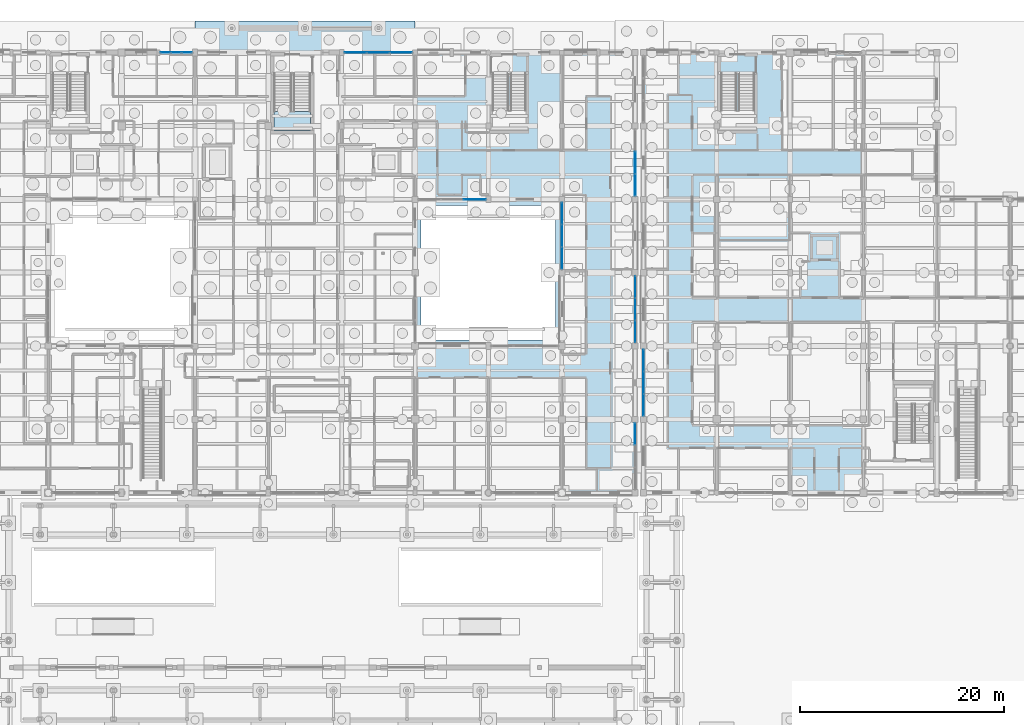
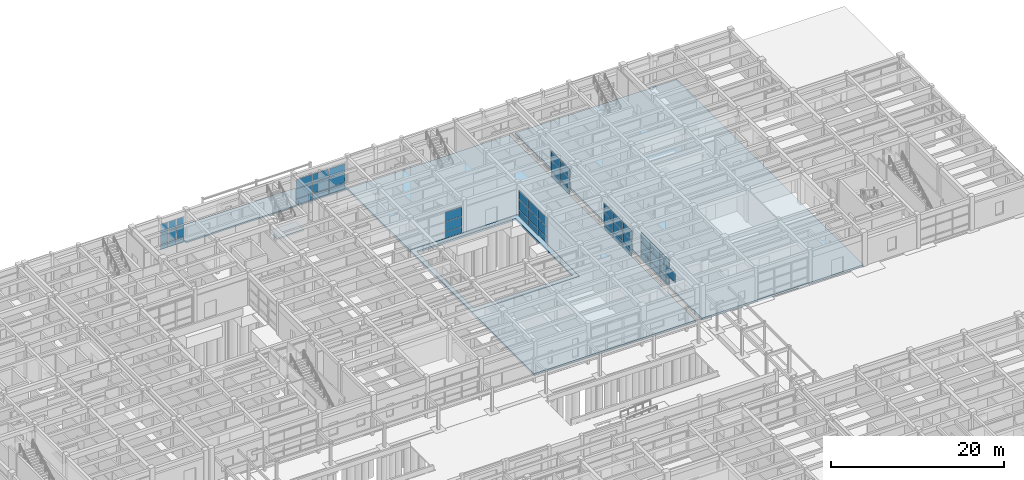
# One storey, part 85 of 143: 55 plates, 5 slabs, 9 elements without a shape of their own.
"""IFC4 building model written with IfcOpenShell, lengths in metres."""

from ifc_helpers import new_model, si_unit, direction, frame, origin, origin_2d, place, context, subcontext, project, spatial, polyline, rectangle, outline, extrude, material, layer, layer_set, type_object, element, aggregate, save


model = new_model("IFC4")

# Units and contexts
model_context = context("Model", 3, precision=1e-05, world=origin(), true_north=direction((0.0, 1.0)))
body_context = subcontext(model_context, "Body", "Model", "MODEL_VIEW")
ifc_project = project(units=[si_unit("LENGTHUNIT", "METRE"), si_unit("AREAUNIT", "SQUARE_METRE"), si_unit("VOLUMEUNIT", "CUBIC_METRE"), si_unit("PLANEANGLEUNIT", "RADIAN"), si_unit("MASSUNIT", "GRAM", prefix="KILO")], contexts=[model_context])

# Site, building, storey
site_placement = place(None, origin())
site = spatial("IfcSite", under=ifc_project, at=site_placement, CompositionType="ELEMENT")
building_placement = place(site_placement, origin())
building = spatial("IfcBuilding", under=site, at=building_placement, Name="Steenspoor Specialist Clinic", CompositionType="ELEMENT")
storey_placement = place(building_placement, origin())
storey = spatial("IfcBuildingStorey", under=building, at=storey_placement, Name="L00", CompositionType="ELEMENT", Elevation=0.0)

# Curtain wall, plates
ifc_material_1 = material(Name="Thermally broken aluminium and low-emissivity glass", Category="aluminium")
curtain_wall_type_1 = type_object("IfcCurtainWallType", Name="CW-STR-220X415", PredefinedType="USERDEFINED", material=ifc_material_1)
curtain_wall_1_placement = place(storey_placement, origin())
curtain_wall_1 = element("IfcCurtainWall", 1, at=curtain_wall_1_placement, inside=storey, type_object=curtain_wall_type_1, Name="Unitised Curtain Wall CW-V4-L00-048", ObjectType="UNITISED GLAZING", PredefinedType="USERDEFINED")
ifc_material_2 = material(Name="Double low-emissivity insulated glass", Category="glass")
ifc_layer_1 = layer(ifc_material_2, 0.035888671875)
ifc_layer_set_1 = layer_set([ifc_layer_1], Name="Double low-emissivity insulated glass")
plate_type_1 = type_object("IfcPlateType", Name="CW-PAN-GL36", PredefinedType="CURTAIN_PANEL", material=ifc_layer_set_1)
plate_1_placement = place(storey_placement, frame((71.094970703125, 108.35009765625, 0.06005859375), z_axis=(0.0, 0.0, 1.0), x_axis=(1.0, 0.0, 0.0)))
plate_1 = element("IfcPlate", 2, at=plate_1_placement, type_object=plate_type_1, Name="CW-24 panel 1.1", PredefinedType="CURTAIN_PANEL", context=body_context, shape_type="SweptSolid", body=[
    extrude(rectangle(XDim=0.949951171875, YDim=0.035888671875, at=origin_2d()), origin(), (0.0, 0.0, 1.0), 0.81005859375),
])
plate_2_placement = place(storey_placement, frame((71.094970703125, 108.35009765625, 0.93017578125), z_axis=(0.0, 0.0, 1.0), x_axis=(1.0, 0.0, 0.0)))
plate_2 = element("IfcPlate", 3, at=plate_2_placement, type_object=plate_type_1, Name="CW-24 panel 1.2", PredefinedType="CURTAIN_PANEL", context=body_context, shape_type="SweptSolid", body=[
    extrude(rectangle(XDim=0.949951171875, YDim=0.035888671875, at=origin_2d()), origin(), (0.0, 0.0, 1.0), 1.389892578125),
])
plate_3_placement = place(storey_placement, frame((71.094970703125, 108.35009765625, 2.3798828125), z_axis=(0.0, 0.0, 1.0), x_axis=(1.0, 0.0, 0.0)))
plate_3 = element("IfcPlate", 4, at=plate_3_placement, type_object=plate_type_1, Name="CW-24 panel 1.3", PredefinedType="CURTAIN_PANEL", context=body_context, shape_type="SweptSolid", body=[
    extrude(rectangle(XDim=0.949951171875, YDim=0.035888671875, at=origin_2d()), origin(), (0.0, 0.0, 1.0), 1.2900390625),
])
plate_4_placement = place(storey_placement, frame((72.14501953125, 108.35009765625, 0.06005859375), z_axis=(0.0, 0.0, 1.0), x_axis=(1.0, 0.0, 0.0)))
plate_4 = element("IfcPlate", 5, at=plate_4_placement, type_object=plate_type_1, Name="CW-24 panel 2.1", PredefinedType="CURTAIN_PANEL", context=body_context, shape_type="SweptSolid", body=[
    extrude(rectangle(XDim=0.989990234375, YDim=0.035888671875, at=origin_2d()), origin(), (0.0, 0.0, 1.0), 0.81005859375),
])
plate_5_placement = place(storey_placement, frame((72.14501953125, 108.35009765625, 0.93017578125), z_axis=(0.0, 0.0, 1.0), x_axis=(1.0, 0.0, 0.0)))
plate_5 = element("IfcPlate", 6, at=plate_5_placement, type_object=plate_type_1, Name="CW-24 panel 2.2", PredefinedType="CURTAIN_PANEL", context=body_context, shape_type="SweptSolid", body=[
    extrude(rectangle(XDim=0.989990234375, YDim=0.035888671875, at=origin_2d()), origin(), (0.0, 0.0, 1.0), 1.389892578125),
])
plate_6_placement = place(storey_placement, frame((72.14501953125, 108.35009765625, 2.3798828125), z_axis=(0.0, 0.0, 1.0), x_axis=(1.0, 0.0, 0.0)))
plate_6 = element("IfcPlate", 7, at=plate_6_placement, type_object=plate_type_1, Name="CW-24 panel 2.3", PredefinedType="CURTAIN_PANEL", context=body_context, shape_type="SweptSolid", body=[
    extrude(rectangle(XDim=0.989990234375, YDim=0.035888671875, at=origin_2d()), origin(), (0.0, 0.0, 1.0), 1.2900390625),
])
plate_7_placement = place(storey_placement, frame((73.195068359375, 108.35009765625, 0.06005859375), z_axis=(0.0, 0.0, 1.0), x_axis=(1.0, 0.0, 0.0)))
plate_7 = element("IfcPlate", 8, at=plate_7_placement, type_object=plate_type_1, Name="CW-24 panel 3.1", PredefinedType="CURTAIN_PANEL", context=body_context, shape_type="SweptSolid", body=[
    extrude(rectangle(XDim=0.949951171875, YDim=0.035888671875, at=origin_2d()), origin(), (0.0, 0.0, 1.0), 0.81005859375),
])
plate_8_placement = place(storey_placement, frame((73.195068359375, 108.35009765625, 0.93017578125), z_axis=(0.0, 0.0, 1.0), x_axis=(1.0, 0.0, 0.0)))
plate_8 = element("IfcPlate", 9, at=plate_8_placement, type_object=plate_type_1, Name="CW-24 panel 3.2", PredefinedType="CURTAIN_PANEL", context=body_context, shape_type="SweptSolid", body=[
    extrude(rectangle(XDim=0.949951171875, YDim=0.035888671875, at=origin_2d()), origin(), (0.0, 0.0, 1.0), 1.389892578125),
])
plate_9_placement = place(storey_placement, frame((73.195068359375, 108.35009765625, 2.3798828125), z_axis=(0.0, 0.0, 1.0), x_axis=(1.0, 0.0, 0.0)))
plate_9 = element("IfcPlate", 10, at=plate_9_placement, type_object=plate_type_1, Name="CW-24 panel 3.3", PredefinedType="CURTAIN_PANEL", context=body_context, shape_type="SweptSolid", body=[
    extrude(rectangle(XDim=0.949951171875, YDim=0.035888671875, at=origin_2d()), origin(), (0.0, 0.0, 1.0), 1.2900390625),
])
aggregate(curtain_wall_1, [plate_1, plate_2, plate_3, plate_4, plate_5, plate_6, plate_7, plate_8, plate_9])

curtain_wall_type_2 = type_object("IfcCurtainWallType", Name="CW-HALL-480X820", PredefinedType="USERDEFINED", material=ifc_material_1)
curtain_wall_2_placement = place(storey_placement, origin())
curtain_wall_2 = element("IfcCurtainWall", 11, at=curtain_wall_2_placement, inside=storey, type_object=curtain_wall_type_2, Name="Unitised Curtain Wall CW-V4-L00-051", ObjectType="UNITISED GLAZING", PredefinedType="USERDEFINED")
plate_10_placement = place(storey_placement, frame((117.199951171875, 85.333740234375, 0.070068359375), z_axis=(0.0, 0.0, 1.0), x_axis=(0.0, -1.0, 0.0)))
plate_10 = element("IfcPlate", 12, at=plate_10_placement, type_object=plate_type_1, Name="CW-03 panel 1.1", PredefinedType="CURTAIN_PANEL", context=body_context, shape_type="SweptSolid", body=[
    extrude(rectangle(XDim=2.1025390625, YDim=0.035888671875, at=origin_2d()), origin(), (0.0, 0.0, 1.0), 0.794921875),
])
plate_11_placement = place(storey_placement, frame((117.199951171875, 85.333740234375, 0.93505859375), z_axis=(0.0, 0.0, 1.0), x_axis=(0.0, -1.0, 0.0)))
plate_11 = element("IfcPlate", 13, at=plate_11_placement, type_object=plate_type_1, Name="CW-03 panel 1.2", PredefinedType="CURTAIN_PANEL", context=body_context, shape_type="SweptSolid", body=[
    extrude(rectangle(XDim=2.1025390625, YDim=0.035888671875, at=origin_2d()), origin(), (0.0, 0.0, 1.0), 1.3798828125),
])
plate_12_placement = place(storey_placement, frame((117.199951171875, 85.333740234375, 2.385009765625), z_axis=(0.0, 0.0, 1.0), x_axis=(0.0, -1.0, 0.0)))
plate_12 = element("IfcPlate", 14, at=plate_12_placement, type_object=plate_type_1, Name="CW-03 panel 1.3", PredefinedType="CURTAIN_PANEL", context=body_context, shape_type="SweptSolid", body=[
    extrude(rectangle(XDim=2.1025390625, YDim=0.035888671875, at=origin_2d()), origin(), (0.0, 0.0, 1.0), 1.27490234375),
])
plate_13_placement = place(storey_placement, frame((117.199951171875, 83.14990234375, 0.070068359375), z_axis=(0.0, 0.0, 1.0), x_axis=(0.0, -1.0, 0.0)))
plate_13 = element("IfcPlate", 15, at=plate_13_placement, type_object=plate_type_1, Name="CW-03 panel 2.1", PredefinedType="CURTAIN_PANEL", context=body_context, shape_type="SweptSolid", body=[
    extrude(rectangle(XDim=2.135009765625, YDim=0.035888671875, at=origin_2d()), origin(), (0.0, 0.0, 1.0), 0.794921875),
])
plate_14_placement = place(storey_placement, frame((117.199951171875, 83.14990234375, 0.93505859375), z_axis=(0.0, 0.0, 1.0), x_axis=(0.0, -1.0, 0.0)))
plate_14 = element("IfcPlate", 16, at=plate_14_placement, type_object=plate_type_1, Name="CW-03 panel 2.2", PredefinedType="CURTAIN_PANEL", context=body_context, shape_type="SweptSolid", body=[
    extrude(rectangle(XDim=2.135009765625, YDim=0.035888671875, at=origin_2d()), origin(), (0.0, 0.0, 1.0), 1.3798828125),
])
plate_15_placement = place(storey_placement, frame((117.199951171875, 83.14990234375, 2.385009765625), z_axis=(0.0, 0.0, 1.0), x_axis=(0.0, -1.0, 0.0)))
plate_15 = element("IfcPlate", 17, at=plate_15_placement, type_object=plate_type_1, Name="CW-03 panel 2.3", PredefinedType="CURTAIN_PANEL", context=body_context, shape_type="SweptSolid", body=[
    extrude(rectangle(XDim=2.135009765625, YDim=0.035888671875, at=origin_2d()), origin(), (0.0, 0.0, 1.0), 1.27490234375),
])
plate_16_placement = place(storey_placement, frame((117.199951171875, 80.96630859375, 0.070068359375), z_axis=(0.0, 0.0, 1.0), x_axis=(0.0, -1.0, 0.0)))
plate_16 = element("IfcPlate", 18, at=plate_16_placement, type_object=plate_type_1, Name="CW-03 panel 3.1", PredefinedType="CURTAIN_PANEL", context=body_context, shape_type="SweptSolid", body=[
    extrude(rectangle(XDim=2.1025390625, YDim=0.035888671875, at=origin_2d()), origin(), (0.0, 0.0, 1.0), 0.794921875),
])
plate_17_placement = place(storey_placement, frame((117.199951171875, 80.96630859375, 0.93505859375), z_axis=(0.0, 0.0, 1.0), x_axis=(0.0, -1.0, 0.0)))
plate_17 = element("IfcPlate", 19, at=plate_17_placement, type_object=plate_type_1, Name="CW-03 panel 3.2", PredefinedType="CURTAIN_PANEL", context=body_context, shape_type="SweptSolid", body=[
    extrude(rectangle(XDim=2.1025390625, YDim=0.035888671875, at=origin_2d()), origin(), (0.0, 0.0, 1.0), 1.3798828125),
])
plate_18_placement = place(storey_placement, frame((117.199951171875, 80.96630859375, 2.385009765625), z_axis=(0.0, 0.0, 1.0), x_axis=(0.0, -1.0, 0.0)))
plate_18 = element("IfcPlate", 20, at=plate_18_placement, type_object=plate_type_1, Name="CW-03 panel 3.3", PredefinedType="CURTAIN_PANEL", context=body_context, shape_type="SweptSolid", body=[
    extrude(rectangle(XDim=2.1025390625, YDim=0.035888671875, at=origin_2d()), origin(), (0.0, 0.0, 1.0), 1.27490234375),
])
aggregate(curtain_wall_2, [plate_10, plate_11, plate_12, plate_13, plate_14, plate_15, plate_16, plate_17, plate_18])

curtain_wall_type_3 = type_object("IfcCurtainWallType", Name="CW-TYP-660X355", PredefinedType="USERDEFINED", material=ifc_material_1)
curtain_wall_3_placement = place(storey_placement, origin())
curtain_wall_3 = element("IfcCurtainWall", 21, at=curtain_wall_3_placement, inside=storey, type_object=curtain_wall_type_3, Name="Unitised Curtain Wall CW-V4-L00-057", ObjectType="UNITISED GLAZING", PredefinedType="USERDEFINED")
plate_19_placement = place(storey_placement, frame((110.0, 88.17041015625, 0.06494140625), z_axis=(0.0, 0.0, 1.0), x_axis=(0.0, 1.0, 0.0)))
plate_19 = element("IfcPlate", 22, at=plate_19_placement, type_object=plate_type_1, Name="CW-09 panel 1.1", PredefinedType="CURTAIN_PANEL", context=body_context, shape_type="SweptSolid", body=[
    extrude(rectangle(XDim=2.11083984375, YDim=0.035888671875, at=origin_2d()), origin(), (0.0, 0.0, 1.0), 0.802490234375),
])
plate_20_placement = place(storey_placement, frame((110.0, 88.17041015625, 0.9326171875), z_axis=(0.0, 0.0, 1.0), x_axis=(0.0, 1.0, 0.0)))
plate_20 = element("IfcPlate", 23, at=plate_20_placement, type_object=plate_type_1, Name="CW-09 panel 1.2", PredefinedType="CURTAIN_PANEL", context=body_context, shape_type="SweptSolid", body=[
    extrude(rectangle(XDim=2.11083984375, YDim=0.035888671875, at=origin_2d()), origin(), (0.0, 0.0, 1.0), 1.385009765625),
])
plate_21_placement = place(storey_placement, frame((110.0, 88.17041015625, 2.38232421875), z_axis=(0.0, 0.0, 1.0), x_axis=(0.0, 1.0, 0.0)))
plate_21 = element("IfcPlate", 24, at=plate_21_placement, type_object=plate_type_1, Name="CW-09 panel 1.3", PredefinedType="CURTAIN_PANEL", context=body_context, shape_type="SweptSolid", body=[
    extrude(rectangle(XDim=2.11083984375, YDim=0.035888671875, at=origin_2d()), origin(), (0.0, 0.0, 1.0), 1.282470703125),
])
plate_22_placement = place(storey_placement, frame((110.0, 90.362548828125, 0.06494140625), z_axis=(0.0, 0.0, 1.0), x_axis=(0.0, 1.0, 0.0)))
plate_22 = element("IfcPlate", 25, at=plate_22_placement, type_object=plate_type_1, Name="CW-09 panel 2.1", PredefinedType="CURTAIN_PANEL", context=body_context, shape_type="SweptSolid", body=[
    extrude(rectangle(XDim=2.143310546875, YDim=0.035888671875, at=origin_2d()), origin(), (0.0, 0.0, 1.0), 0.802490234375),
])
plate_23_placement = place(storey_placement, frame((110.0, 90.362548828125, 0.9326171875), z_axis=(0.0, 0.0, 1.0), x_axis=(0.0, 1.0, 0.0)))
plate_23 = element("IfcPlate", 26, at=plate_23_placement, type_object=plate_type_1, Name="CW-09 panel 2.2", PredefinedType="CURTAIN_PANEL", context=body_context, shape_type="SweptSolid", body=[
    extrude(rectangle(XDim=2.143310546875, YDim=0.035888671875, at=origin_2d()), origin(), (0.0, 0.0, 1.0), 1.385009765625),
])
plate_24_placement = place(storey_placement, frame((110.0, 90.362548828125, 2.38232421875), z_axis=(0.0, 0.0, 1.0), x_axis=(0.0, 1.0, 0.0)))
plate_24 = element("IfcPlate", 27, at=plate_24_placement, type_object=plate_type_1, Name="CW-09 panel 2.3", PredefinedType="CURTAIN_PANEL", context=body_context, shape_type="SweptSolid", body=[
    extrude(rectangle(XDim=2.143310546875, YDim=0.035888671875, at=origin_2d()), origin(), (0.0, 0.0, 1.0), 1.282470703125),
])
plate_25_placement = place(storey_placement, frame((110.0, 92.5546875, 0.06494140625), z_axis=(0.0, 0.0, 1.0), x_axis=(0.0, 1.0, 0.0)))
plate_25 = element("IfcPlate", 28, at=plate_25_placement, type_object=plate_type_1, Name="CW-09 panel 3.1", PredefinedType="CURTAIN_PANEL", context=body_context, shape_type="SweptSolid", body=[
    extrude(rectangle(XDim=2.11083984375, YDim=0.035888671875, at=origin_2d()), origin(), (0.0, 0.0, 1.0), 0.802490234375),
])
plate_26_placement = place(storey_placement, frame((110.0, 92.5546875, 0.9326171875), z_axis=(0.0, 0.0, 1.0), x_axis=(0.0, 1.0, 0.0)))
plate_26 = element("IfcPlate", 29, at=plate_26_placement, type_object=plate_type_1, Name="CW-09 panel 3.2", PredefinedType="CURTAIN_PANEL", context=body_context, shape_type="SweptSolid", body=[
    extrude(rectangle(XDim=2.11083984375, YDim=0.035888671875, at=origin_2d()), origin(), (0.0, 0.0, 1.0), 1.385009765625),
])
plate_27_placement = place(storey_placement, frame((110.0, 92.5546875, 2.38232421875), z_axis=(0.0, 0.0, 1.0), x_axis=(0.0, 1.0, 0.0)))
plate_27 = element("IfcPlate", 30, at=plate_27_placement, type_object=plate_type_1, Name="CW-09 panel 3.3", PredefinedType="CURTAIN_PANEL", context=body_context, shape_type="SweptSolid", body=[
    extrude(rectangle(XDim=2.11083984375, YDim=0.035888671875, at=origin_2d()), origin(), (0.0, 0.0, 1.0), 1.282470703125),
])
aggregate(curtain_wall_3, [plate_19, plate_20, plate_21, plate_22, plate_23, plate_24, plate_25, plate_26, plate_27])

curtain_wall_type_4 = type_object("IfcCurtainWallType", Name="CW-HALL-660X820", PredefinedType="USERDEFINED", material=ifc_material_1)
curtain_wall_4_placement = place(storey_placement, origin())
curtain_wall_4 = element("IfcCurtainWall", 31, at=curtain_wall_4_placement, inside=storey, type_object=curtain_wall_type_4, Name="Unitised Curtain Wall CW-V4-L00-049", ObjectType="UNITISED GLAZING", PredefinedType="USERDEFINED")
ifc_material_3 = material(Name="Triple acoustic laminated low-emissivity glass", Category="glass")
ifc_layer_2 = layer(ifc_material_3, 0.048095703125)
ifc_layer_set_2 = layer_set([ifc_layer_2], Name="Triple acoustic laminated low-emissivity glass")
plate_type_2 = type_object("IfcPlateType", Name="CW-PAN-GL48", PredefinedType="CURTAIN_PANEL", material=ifc_layer_set_2)
plate_28_placement = place(storey_placement, frame((89.765869140625, 108.35009765625, 0.08984375), z_axis=(0.0, 0.0, 1.0), x_axis=(1.0, 0.0, 0.0)))
plate_28 = element("IfcPlate", 32, at=plate_28_placement, type_object=plate_type_2, Name="CW-01 panel 1.1", PredefinedType="CURTAIN_PANEL", context=body_context, shape_type="SweptSolid", body=[
    extrude(rectangle(XDim=2.12158203125, YDim=0.048095703125, at=origin_2d()), origin(), (0.0, 0.0, 1.0), 0.764892578125),
])
plate_29_placement = place(storey_placement, frame((89.765869140625, 108.35009765625, 0.94482421875), z_axis=(0.0, 0.0, 1.0), x_axis=(1.0, 0.0, 0.0)))
plate_29 = element("IfcPlate", 33, at=plate_29_placement, type_object=plate_type_2, Name="CW-01 panel 1.2", PredefinedType="CURTAIN_PANEL", context=body_context, shape_type="SweptSolid", body=[
    extrude(rectangle(XDim=2.12158203125, YDim=0.048095703125, at=origin_2d()), origin(), (0.0, 0.0, 1.0), 1.360107421875),
])
plate_30_placement = place(storey_placement, frame((89.765869140625, 108.35009765625, 2.39501953125), z_axis=(0.0, 0.0, 1.0), x_axis=(1.0, 0.0, 0.0)))
plate_30 = element("IfcPlate", 34, at=plate_30_placement, type_object=plate_type_2, Name="CW-01 panel 1.3", PredefinedType="CURTAIN_PANEL", context=body_context, shape_type="SweptSolid", body=[
    extrude(rectangle(XDim=2.12158203125, YDim=0.048095703125, at=origin_2d()), origin(), (0.0, 0.0, 1.0), 1.2451171875),
])
plate_31_placement = place(storey_placement, frame((91.987548828125, 108.35009765625, 0.08984375), z_axis=(0.0, 0.0, 1.0), x_axis=(1.0, 0.0, 0.0)))
plate_31 = element("IfcPlate", 35, at=plate_31_placement, type_object=plate_type_2, Name="CW-01 panel 2.1", PredefinedType="CURTAIN_PANEL", context=body_context, shape_type="SweptSolid", body=[
    extrude(rectangle(XDim=2.16162109375, YDim=0.048095703125, at=origin_2d()), origin(), (0.0, 0.0, 1.0), 0.764892578125),
])
plate_32_placement = place(storey_placement, frame((91.987548828125, 108.35009765625, 0.94482421875), z_axis=(0.0, 0.0, 1.0), x_axis=(1.0, 0.0, 0.0)))
plate_32 = element("IfcPlate", 36, at=plate_32_placement, type_object=plate_type_2, Name="CW-01 panel 2.2", PredefinedType="CURTAIN_PANEL", context=body_context, shape_type="SweptSolid", body=[
    extrude(rectangle(XDim=2.16162109375, YDim=0.048095703125, at=origin_2d()), origin(), (0.0, 0.0, 1.0), 1.360107421875),
])
plate_33_placement = place(storey_placement, frame((91.987548828125, 108.35009765625, 2.39501953125), z_axis=(0.0, 0.0, 1.0), x_axis=(1.0, 0.0, 0.0)))
plate_33 = element("IfcPlate", 37, at=plate_33_placement, type_object=plate_type_2, Name="CW-01 panel 2.3", PredefinedType="CURTAIN_PANEL", context=body_context, shape_type="SweptSolid", body=[
    extrude(rectangle(XDim=2.16162109375, YDim=0.048095703125, at=origin_2d()), origin(), (0.0, 0.0, 1.0), 1.2451171875),
])
plate_34_placement = place(storey_placement, frame((94.209228515625, 108.35009765625, 0.08984375), z_axis=(0.0, 0.0, 1.0), x_axis=(1.0, 0.0, 0.0)))
plate_34 = element("IfcPlate", 38, at=plate_34_placement, type_object=plate_type_2, Name="CW-01 panel 3.1", PredefinedType="CURTAIN_PANEL", context=body_context, shape_type="SweptSolid", body=[
    extrude(rectangle(XDim=2.12158203125, YDim=0.048095703125, at=origin_2d()), origin(), (0.0, 0.0, 1.0), 0.764892578125),
])
plate_35_placement = place(storey_placement, frame((94.209228515625, 108.35009765625, 0.94482421875), z_axis=(0.0, 0.0, 1.0), x_axis=(1.0, 0.0, 0.0)))
plate_35 = element("IfcPlate", 39, at=plate_35_placement, type_object=plate_type_2, Name="CW-01 panel 3.2", PredefinedType="CURTAIN_PANEL", context=body_context, shape_type="SweptSolid", body=[
    extrude(rectangle(XDim=2.12158203125, YDim=0.048095703125, at=origin_2d()), origin(), (0.0, 0.0, 1.0), 1.360107421875),
])
plate_36_placement = place(storey_placement, frame((94.209228515625, 108.35009765625, 2.39501953125), z_axis=(0.0, 0.0, 1.0), x_axis=(1.0, 0.0, 0.0)))
plate_36 = element("IfcPlate", 40, at=plate_36_placement, type_object=plate_type_2, Name="CW-01 panel 3.3", PredefinedType="CURTAIN_PANEL", context=body_context, shape_type="SweptSolid", body=[
    extrude(rectangle(XDim=2.12158203125, YDim=0.048095703125, at=origin_2d()), origin(), (0.0, 0.0, 1.0), 1.2451171875),
])
aggregate(curtain_wall_4, [plate_28, plate_29, plate_30, plate_31, plate_32, plate_33, plate_34, plate_35, plate_36])

# Curtain wall, plate
curtain_wall_type_5 = type_object("IfcCurtainWallType", Name="CW-L00-660X415", PredefinedType="USERDEFINED", material=ifc_material_1)
curtain_wall_5_placement = place(storey_placement, origin())
curtain_wall_5 = element("IfcCurtainWall", 41, at=curtain_wall_5_placement, inside=storey, type_object=curtain_wall_type_5, Name="Unitised Curtain Wall CW-V4-L00-052", ObjectType="UNITISED GLAZING", PredefinedType="USERDEFINED")
plate_37_placement = place(storey_placement, frame((117.199951171875, 70.93505859375, 2.38232421875), z_axis=(0.0, 0.0, 1.0), x_axis=(0.0, -1.0, 0.0)))
plate_37 = element("IfcPlate", 42, at=plate_37_placement, type_object=plate_type_2, Name="CW-04 panel 1.3", PredefinedType="CURTAIN_PANEL", context=body_context, shape_type="SweptSolid", body=[
    extrude(rectangle(XDim=2.110107421875, YDim=0.048095703125, at=origin_2d()), origin(), (0.0, 0.0, 1.0), 1.282470703125),
])
aggregate(curtain_wall_5, [plate_37])

# Curtain wall, plates
curtain_wall_type_6 = type_object("IfcCurtainWallType", Name="CW-TYP-650X355", PredefinedType="USERDEFINED", material=ifc_material_1)
curtain_wall_6_placement = place(storey_placement, origin())
curtain_wall_6 = element("IfcCurtainWall", 43, at=curtain_wall_6_placement, inside=storey, type_object=curtain_wall_type_6, Name="Unitised Curtain Wall CW-V4-L00-058", ObjectType="UNITISED GLAZING", PredefinedType="USERDEFINED")
plate_38_placement = place(storey_placement, frame((101.447509765625, 93.949951171875, 0.06005859375), z_axis=(0.0, 0.0, 1.0), x_axis=(-1.0, 0.0, 0.0)))
plate_38 = element("IfcPlate", 44, at=plate_38_placement, type_object=plate_type_2, Name="CW-10 panel 1.1", PredefinedType="CURTAIN_PANEL", context=body_context, shape_type="SweptSolid", body=[
    extrude(rectangle(XDim=2.135009765625, YDim=0.048095703125, at=origin_2d()), origin(), (0.0, 0.0, 1.0), 0.81005859375),
])
plate_39_placement = place(storey_placement, frame((101.447509765625, 93.949951171875, 0.93017578125), z_axis=(0.0, 0.0, 1.0), x_axis=(-1.0, 0.0, 0.0)))
plate_39 = element("IfcPlate", 45, at=plate_39_placement, type_object=plate_type_2, Name="CW-10 panel 1.2", PredefinedType="CURTAIN_PANEL", context=body_context, shape_type="SweptSolid", body=[
    extrude(rectangle(XDim=2.135009765625, YDim=0.048095703125, at=origin_2d()), origin(), (0.0, 0.0, 1.0), 1.389892578125),
])
plate_40_placement = place(storey_placement, frame((101.447509765625, 93.949951171875, 2.3798828125), z_axis=(0.0, 0.0, 1.0), x_axis=(-1.0, 0.0, 0.0)))
plate_40 = element("IfcPlate", 46, at=plate_40_placement, type_object=plate_type_2, Name="CW-10 panel 1.3", PredefinedType="CURTAIN_PANEL", context=body_context, shape_type="SweptSolid", body=[
    extrude(rectangle(XDim=2.135009765625, YDim=0.048095703125, at=origin_2d()), origin(), (0.0, 0.0, 1.0), 1.2900390625),
])
aggregate(curtain_wall_6, [plate_38, plate_39, plate_40])

curtain_wall_type_7 = type_object("IfcCurtainWallType", Name="CW-WLK-360X340", PredefinedType="USERDEFINED", material=ifc_material_1)
curtain_wall_7_placement = place(storey_placement, origin())
curtain_wall_7 = element("IfcCurtainWall", 47, at=curtain_wall_7_placement, inside=storey, type_object=curtain_wall_type_7, Name="Unitised Curtain Wall CW-V6-L00-166", ObjectType="UNITISED GLAZING", PredefinedType="USERDEFINED")
plate_41_placement = place(storey_placement, frame((118.0, 73.764892578125, 0.070068359375), z_axis=(0.0, 0.0, 1.0), x_axis=(0.0, 1.0, 0.0)))
plate_41 = element("IfcPlate", 48, at=plate_41_placement, type_object=plate_type_2, Name="CW-22 panel 1.1", PredefinedType="CURTAIN_PANEL", context=body_context, shape_type="SweptSolid", body=[
    extrude(rectangle(XDim=2.110107421875, YDim=0.048095703125, at=origin_2d()), origin(), (0.0, 0.0, 1.0), 0.794921875),
])
plate_42_placement = place(storey_placement, frame((118.0, 73.764892578125, 0.93505859375), z_axis=(0.0, 0.0, 1.0), x_axis=(0.0, 1.0, 0.0)))
plate_42 = element("IfcPlate", 49, at=plate_42_placement, type_object=plate_type_2, Name="CW-22 panel 1.2", PredefinedType="CURTAIN_PANEL", context=body_context, shape_type="SweptSolid", body=[
    extrude(rectangle(XDim=2.110107421875, YDim=0.048095703125, at=origin_2d()), origin(), (0.0, 0.0, 1.0), 1.3798828125),
])
plate_43_placement = place(storey_placement, frame((118.0, 73.764892578125, 2.385009765625), z_axis=(0.0, 0.0, 1.0), x_axis=(0.0, 1.0, 0.0)))
plate_43 = element("IfcPlate", 50, at=plate_43_placement, type_object=plate_type_2, Name="CW-22 panel 1.3", PredefinedType="CURTAIN_PANEL", context=body_context, shape_type="SweptSolid", body=[
    extrude(rectangle(XDim=2.110107421875, YDim=0.048095703125, at=origin_2d()), origin(), (0.0, 0.0, 1.0), 1.2451171875),
])
plate_44_placement = place(storey_placement, frame((118.0, 75.949951171875, 0.070068359375), z_axis=(0.0, 0.0, 1.0), x_axis=(0.0, 1.0, 0.0)))
plate_44 = element("IfcPlate", 51, at=plate_44_placement, type_object=plate_type_2, Name="CW-22 panel 2.1", PredefinedType="CURTAIN_PANEL", context=body_context, shape_type="SweptSolid", body=[
    extrude(rectangle(XDim=2.139892578125, YDim=0.048095703125, at=origin_2d()), origin(), (0.0, 0.0, 1.0), 0.794921875),
])
plate_45_placement = place(storey_placement, frame((118.0, 75.949951171875, 0.93505859375), z_axis=(0.0, 0.0, 1.0), x_axis=(0.0, 1.0, 0.0)))
plate_45 = element("IfcPlate", 52, at=plate_45_placement, type_object=plate_type_2, Name="CW-22 panel 2.2", PredefinedType="CURTAIN_PANEL", context=body_context, shape_type="SweptSolid", body=[
    extrude(rectangle(XDim=2.139892578125, YDim=0.048095703125, at=origin_2d()), origin(), (0.0, 0.0, 1.0), 1.3798828125),
])
plate_46_placement = place(storey_placement, frame((118.0, 75.949951171875, 2.385009765625), z_axis=(0.0, 0.0, 1.0), x_axis=(0.0, 1.0, 0.0)))
plate_46 = element("IfcPlate", 53, at=plate_46_placement, type_object=plate_type_2, Name="CW-22 panel 2.3", PredefinedType="CURTAIN_PANEL", context=body_context, shape_type="SweptSolid", body=[
    extrude(rectangle(XDim=2.139892578125, YDim=0.048095703125, at=origin_2d()), origin(), (0.0, 0.0, 1.0), 1.2451171875),
])
plate_47_placement = place(storey_placement, frame((118.0, 78.135009765625, 0.070068359375), z_axis=(0.0, 0.0, 1.0), x_axis=(0.0, 1.0, 0.0)))
plate_47 = element("IfcPlate", 54, at=plate_47_placement, type_object=plate_type_2, Name="CW-22 panel 3.1", PredefinedType="CURTAIN_PANEL", context=body_context, shape_type="SweptSolid", body=[
    extrude(rectangle(XDim=2.110107421875, YDim=0.048095703125, at=origin_2d()), origin(), (0.0, 0.0, 1.0), 0.794921875),
])
plate_48_placement = place(storey_placement, frame((118.0, 78.135009765625, 0.93505859375), z_axis=(0.0, 0.0, 1.0), x_axis=(0.0, 1.0, 0.0)))
plate_48 = element("IfcPlate", 55, at=plate_48_placement, type_object=plate_type_2, Name="CW-22 panel 3.2", PredefinedType="CURTAIN_PANEL", context=body_context, shape_type="SweptSolid", body=[
    extrude(rectangle(XDim=2.110107421875, YDim=0.048095703125, at=origin_2d()), origin(), (0.0, 0.0, 1.0), 1.3798828125),
])
plate_49_placement = place(storey_placement, frame((118.0, 78.135009765625, 2.385009765625), z_axis=(0.0, 0.0, 1.0), x_axis=(0.0, 1.0, 0.0)))
plate_49 = element("IfcPlate", 56, at=plate_49_placement, type_object=plate_type_2, Name="CW-22 panel 3.3", PredefinedType="CURTAIN_PANEL", context=body_context, shape_type="SweptSolid", body=[
    extrude(rectangle(XDim=2.110107421875, YDim=0.048095703125, at=origin_2d()), origin(), (0.0, 0.0, 1.0), 1.2451171875),
])
aggregate(curtain_wall_7, [plate_41, plate_42, plate_43, plate_44, plate_45, plate_46, plate_47, plate_48, plate_49])

curtain_wall_type_8 = type_object("IfcCurtainWallType", Name="CW-HALL-650X820", PredefinedType="USERDEFINED", material=ifc_material_1)
curtain_wall_8_placement = place(storey_placement, origin())
curtain_wall_8 = element("IfcCurtainWall", 57, at=curtain_wall_8_placement, inside=storey, type_object=curtain_wall_type_8, Name="Unitised Curtain Wall CW-V4-L00-050", ObjectType="UNITISED GLAZING", PredefinedType="USERDEFINED")
ifc_material_4 = material(Name="Insulated glazed ceramic spandrel panel", Category="glass")
ifc_layer_3 = layer(ifc_material_4, 0.074951171875)
ifc_layer_set_3 = layer_set([ifc_layer_3], Name="Insulated glazed ceramic spandrel panel")
plate_type_3 = type_object("IfcPlateType", Name="CW-PAN-SP75", PredefinedType="CURTAIN_PANEL", material=ifc_layer_set_3)
plate_50_placement = place(storey_placement, frame((117.199951171875, 97.550048828125, 0.080078125), z_axis=(0.0, 0.0, 1.0), x_axis=(0.0, -1.0, 0.0)))
plate_50 = element("IfcPlate", 58, at=plate_50_placement, type_object=plate_type_3, Name="CW-02 panel 2.1", PredefinedType="CURTAIN_PANEL", context=body_context, shape_type="SweptSolid", body=[
    extrude(rectangle(XDim=2.1298828125, YDim=0.074951171875, at=origin_2d()), origin(), (0.0, 0.0, 1.0), 0.780029296875),
])
plate_51_placement = place(storey_placement, frame((117.199951171875, 97.550048828125, 0.93994140625), z_axis=(0.0, 0.0, 1.0), x_axis=(0.0, -1.0, 0.0)))
plate_51 = element("IfcPlate", 59, at=plate_51_placement, type_object=plate_type_3, Name="CW-02 panel 2.2", PredefinedType="CURTAIN_PANEL", context=body_context, shape_type="SweptSolid", body=[
    extrude(rectangle(XDim=2.1298828125, YDim=0.074951171875, at=origin_2d()), origin(), (0.0, 0.0, 1.0), 1.3701171875),
])
plate_52_placement = place(storey_placement, frame((117.199951171875, 97.550048828125, 2.39013671875), z_axis=(0.0, 0.0, 1.0), x_axis=(0.0, -1.0, 0.0)))
plate_52 = element("IfcPlate", 60, at=plate_52_placement, type_object=plate_type_3, Name="CW-02 panel 2.3", PredefinedType="CURTAIN_PANEL", context=body_context, shape_type="SweptSolid", body=[
    extrude(rectangle(XDim=2.1298828125, YDim=0.074951171875, at=origin_2d()), origin(), (0.0, 0.0, 1.0), 1.260009765625),
])
plate_53_placement = place(storey_placement, frame((117.199951171875, 95.367431640625, 0.080078125), z_axis=(0.0, 0.0, 1.0), x_axis=(0.0, -1.0, 0.0)))
plate_53 = element("IfcPlate", 61, at=plate_53_placement, type_object=plate_type_3, Name="CW-02 panel 3.1", PredefinedType="CURTAIN_PANEL", context=body_context, shape_type="SweptSolid", body=[
    extrude(rectangle(XDim=2.094970703125, YDim=0.074951171875, at=origin_2d()), origin(), (0.0, 0.0, 1.0), 0.780029296875),
])
plate_54_placement = place(storey_placement, frame((117.199951171875, 95.367431640625, 0.93994140625), z_axis=(0.0, 0.0, 1.0), x_axis=(0.0, -1.0, 0.0)))
plate_54 = element("IfcPlate", 62, at=plate_54_placement, type_object=plate_type_3, Name="CW-02 panel 3.2", PredefinedType="CURTAIN_PANEL", context=body_context, shape_type="SweptSolid", body=[
    extrude(rectangle(XDim=2.094970703125, YDim=0.074951171875, at=origin_2d()), origin(), (0.0, 0.0, 1.0), 1.3701171875),
])
plate_55_placement = place(storey_placement, frame((117.199951171875, 95.367431640625, 2.39013671875), z_axis=(0.0, 0.0, 1.0), x_axis=(0.0, -1.0, 0.0)))
plate_55 = element("IfcPlate", 63, at=plate_55_placement, type_object=plate_type_3, Name="CW-02 panel 3.3", PredefinedType="CURTAIN_PANEL", context=body_context, shape_type="SweptSolid", body=[
    extrude(rectangle(XDim=2.094970703125, YDim=0.074951171875, at=origin_2d()), origin(), (0.0, 0.0, 1.0), 1.260009765625),
])
aggregate(curtain_wall_8, [plate_50, plate_51, plate_52, plate_53, plate_54, plate_55])

# Slabs
ifc_material_5 = material(Name="Concrete C35/45", Category="concrete")
ifc_layer_4 = layer(ifc_material_5, 0.300048828125)
ifc_layer_set_4 = layer_set([ifc_layer_4], Name="Concrete C35/45")
slab_type_1 = type_object("IfcSlabType", Name="SL-BASE-300", PredefinedType="BASESLAB", material=ifc_layer_set_4)
slab_1_placement = place(storey_placement, frame((0.0, 0.0, -0.300048828125)))
element("IfcSlab", 64, at=slab_1_placement, inside=storey, type_object=slab_type_1, Name="Structural Slab SLAB-V4-L00-015", PredefinedType="BASESLAB", context=body_context, shape_type="SweptSolid", body=[
    extrude(outline(polyline([(95.60009765625, 65.14990234375), (95.60009765625, 79.550048828125), (110.0, 79.550048828125), (110.0, 93.949951171875), (95.60009765625, 93.949951171875), (95.60009765625, 108.35009765625), (117.199951171875, 108.35009765625), (117.199951171875, 93.949951171875), (117.199951171875, 79.550048828125), (117.199951171875, 65.14990234375), (95.60009765625, 65.14990234375)])), origin(), (0.0, 0.0, 1.0), 0.300048828125),
])
slab_2_placement = place(storey_placement, frame((0.0, 0.0, -0.300048828125)))
element("IfcSlab", 65, at=slab_2_placement, inside=storey, type_object=slab_type_1, Name="Structural Slab SLAB-V6-L00-044", PredefinedType="BASESLAB", context=body_context, shape_type="SweptSolid", body=[
    extrude(outline(polyline([(118.0, 65.14990234375), (118.0, 93.949951171875), (118.0, 108.35009765625), (139.60009765625, 108.35009765625), (139.60009765625, 65.14990234375), (118.0, 65.14990234375)])), origin(), (0.0, 0.0, 1.0), 0.300048828125),
])

# Stair, slab
stair_type = type_object("IfcStairType", Name="ST-CORE-L00", PredefinedType="HALF_TURN_STAIR", material=ifc_material_5)
stair_placement = place(storey_placement, origin())
stair = element("IfcStair", 66, at=stair_placement, inside=storey, type_object=stair_type, Name="L00 Enclosed Exit Stair ST-V4C", PredefinedType="HALF_TURN_STAIR")
ifc_layer_5 = layer(ifc_material_5, 0.199951171875)
ifc_layer_set_5 = layer_set([ifc_layer_5], Name="Concrete C35/45")
slab_type_2 = type_object("IfcSlabType", Name="SL-LAND-200", PredefinedType="LANDING", material=ifc_layer_set_5)
slab_3_placement = place(storey_placement, frame((0.0, 0.0, 2.199951171875)))
slab_3 = element("IfcSlab", 67, at=slab_3_placement, type_object=slab_type_2, Name="ST-V4C landing 1", PredefinedType="LANDING", context=body_context, shape_type="SweptSolid", body=[
    extrude(outline(polyline([(81.75, 102.574951171875), (81.75, 100.699951171875), (85.35009765625, 100.699951171875), (85.35009765625, 102.574951171875), (81.75, 102.574951171875)])), origin(), (0.0, 0.0, 1.0), 0.199951171875),
])
aggregate(stair, [slab_3])

# Slabs
ifc_layer_6 = layer(ifc_material_5, 0.25)
ifc_layer_set_6 = layer_set([ifc_layer_6], Name="Concrete C35/45")
slab_type_3 = type_object("IfcSlabType", Name="SL-PLAZA-250", PredefinedType="BASESLAB", material=ifc_layer_set_6)
slab_4_placement = place(storey_placement, frame((0.0, 0.0, -0.25)))
element("IfcSlab", 68, at=slab_4_placement, inside=storey, type_object=slab_type_3, Name="Outdoor Campus Plaza Paving Slab PLAZA-NORTH-PERIM-05", PredefinedType="BASESLAB", context=body_context, shape_type="SweptSolid", body=[
    extrude(outline(polyline([(109.97998046875, 79.570068359375), (95.6201171875, 79.570068359375), (95.6201171875, 93.929931640625), (109.97998046875, 93.929931640625), (109.97998046875, 79.570068359375)]), holes=[polyline([(109.39990234375, 80.14990234375), (109.39990234375, 93.35009765625), (96.199951171875, 93.35009765625), (96.199951171875, 80.14990234375), (109.39990234375, 80.14990234375)])]), origin(), (0.0, 0.0, 1.0), 0.25),
])
ifc_layer_7 = layer(ifc_material_5, 0.18994140625)
ifc_layer_set_7 = layer_set([ifc_layer_7], Name="Concrete C35/45")
slab_type_4 = type_object("IfcSlabType", Name="SL-WALK-190", PredefinedType="FLOOR", material=ifc_layer_set_7)
slab_5_placement = place(storey_placement, frame((0.0, 0.0, -0.18994140625)))
element("IfcSlab", 69, at=slab_5_placement, inside=storey, type_object=slab_type_4, Name="North Transit Corridor Entrance Porch Terrace Deck", PredefinedType="FLOOR", context=body_context, shape_type="SweptSolid", body=[
    extrude(outline(polyline([(95.60009765625, 108.35009765625), (95.60009765625, 111.449951171875), (74.0, 111.449951171875), (74.0, 108.35009765625), (95.60009765625, 108.35009765625)])), origin(), (0.0, 0.0, 1.0), 0.18994140625),
])

save(model, "model.ifc")
